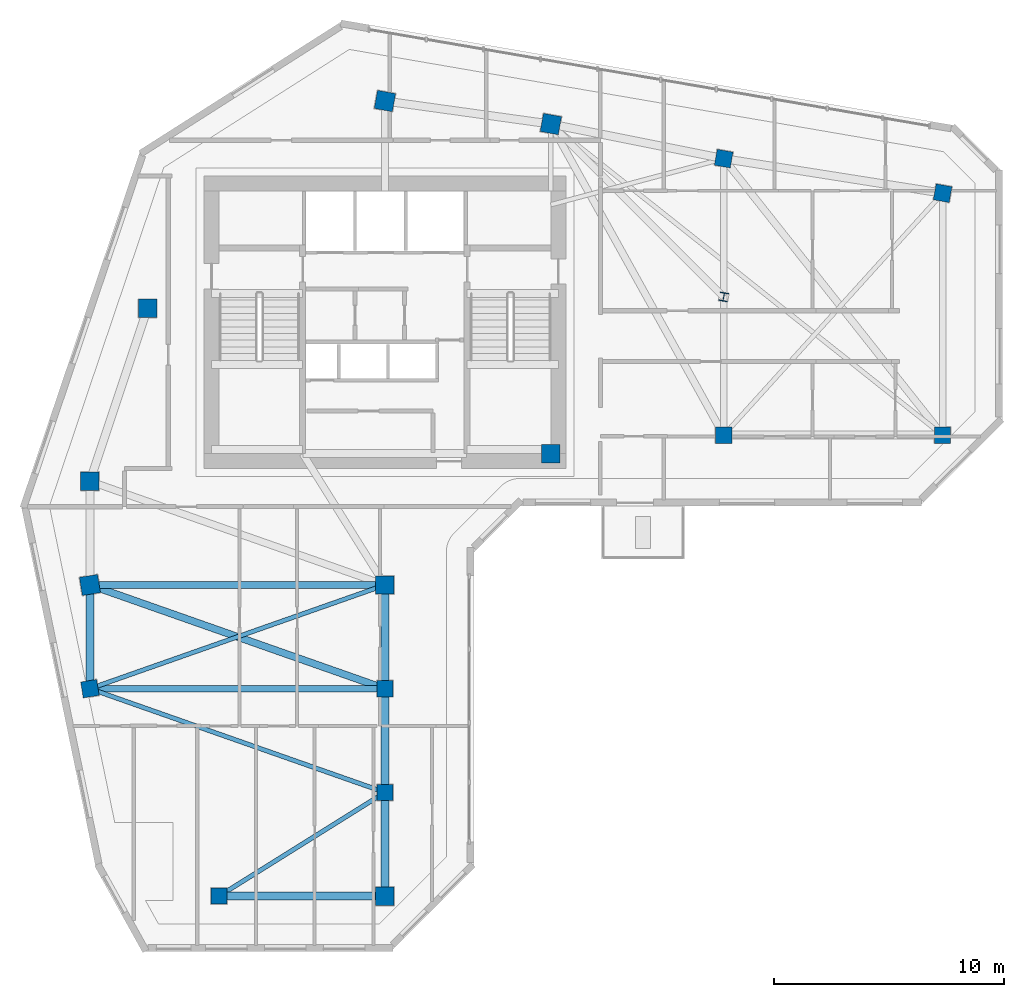
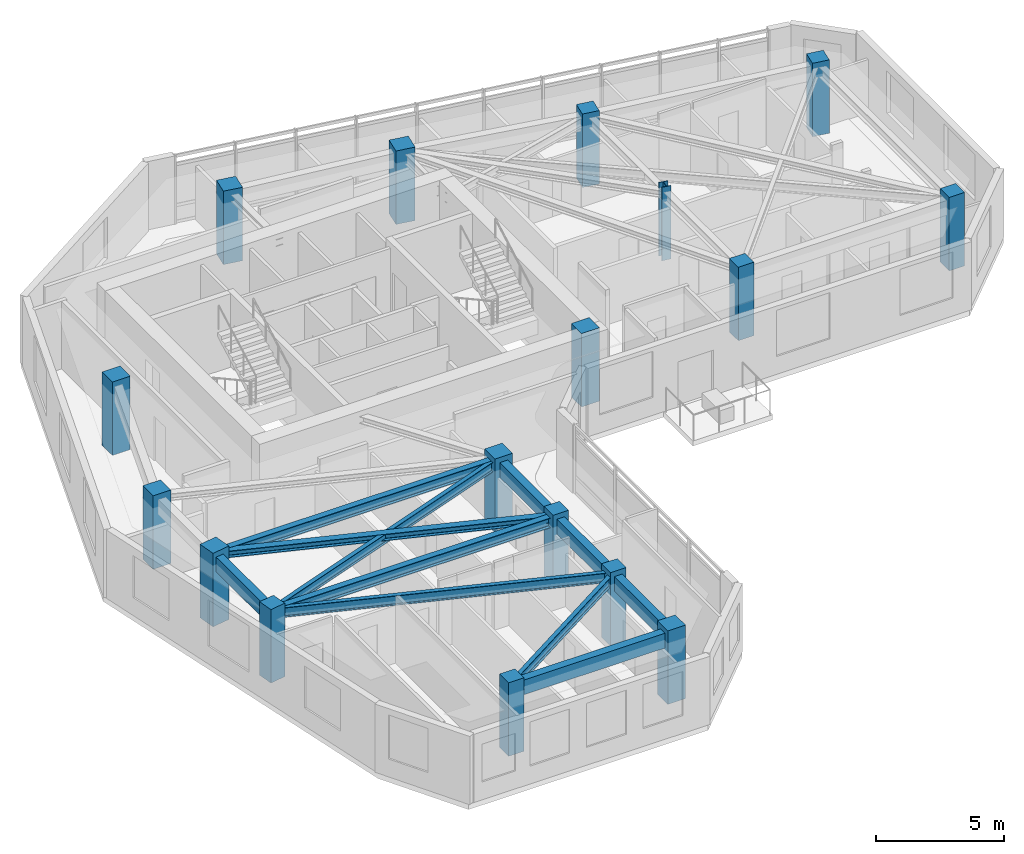
# One storey, part 1 of 11: 17 columns, 11 beams.
"""IFC4 building model written with IfcOpenShell, lengths in metres."""

from ifc_helpers import new_model, si_unit, direction, frame, origin, origin_2d, place, context, subcontext, project, spatial, rectangle, i_section, extrude, source, transform, mapped, material, material_profile, profile_set, type_object, element, save


model = new_model("IFC4")

# Units and contexts
model_context = context("Model", 3, precision=1e-05, world=origin(), true_north=direction((0.0, 1.0)))
body_context = subcontext(model_context, "Body", "Model", "MODEL_VIEW")
ifc_project = project(units=[si_unit("LENGTHUNIT", "METRE"), si_unit("AREAUNIT", "SQUARE_METRE"), si_unit("VOLUMEUNIT", "CUBIC_METRE"), si_unit("PLANEANGLEUNIT", "RADIAN"), si_unit("MASSUNIT", "GRAM", prefix="KILO")], contexts=[model_context])

# Site, building, storey
site_placement = place(None, origin())
site = spatial("IfcSite", under=ifc_project, at=site_placement, CompositionType="ELEMENT")
building_placement = place(site_placement, origin())
building = spatial("IfcBuilding", under=site, at=building_placement, Name="Calvemar Wedge Station Tower", CompositionType="ELEMENT")
storey_placement = place(building_placement, frame((0.0, 0.0, 186.89990234375)))
storey = spatial("IfcBuildingStorey", under=building, at=storey_placement, Name="L46", CompositionType="ELEMENT", Elevation=186.89990234375)

# Columns
ifc_material_1 = material(Name="Concrete C50", Category="concrete")
ifc_material_profile_1 = material_profile(ifc_material_1, rectangle(XDim=0.800048828125, YDim=0.800048828125, at=origin_2d()), Name="RC800x800")
ifc_profile_set_1 = profile_set([ifc_material_profile_1], Name="Concrete C50")
column_type_1 = type_object("IfcColumnType", Name="COL-C6-800", PredefinedType="COLUMN", material=ifc_profile_set_1)
shared_shape_1 = source(origin(), body_context, "Body", "SweptSolid", [
    extrude(rectangle(XDim=0.800048828125, YDim=0.800048828125, at=origin_2d()), origin(), (0.0, 0.0, 1.0), 3.5),
])
for number, where, z_axis, x_axis, name in (
    (1, (11.0, 33.0, 0.0), (0.0, 0.0, 1.0), (1.0, 0.0, 0.0), "Storey L46 Column T-NW1"),
    (2, (13.5, 40.5, 0.0), (0.0, 0.0, 1.0), (1.0, 0.0, 0.0), "Storey L46 Column T-NW2"),
    (3, (23.800048828125, 49.5, 0.0), (0.0, 0.0, 1.0), (0.984195607969, -0.17708474032, 0.0), "Storey L46 Column T-N1"),
    (4, (31.0, 48.5, 0.0), (0.0, 0.0, 1.0), (0.984195607969, -0.17708474032, 0.0), "Storey L46 Column T-N2"),
    (5, (31.0, 34.199951171875, 0.0), (0.0, 0.0, 1.0), (1.0, 0.0, 0.0), "Storey L46 Column T-NL1"),
    (6, (11.0, 28.5, 0.0), (0.0, 0.0, 1.0), (0.158158067254, -0.987413806751, 0.0), "Storey L46 Column T-SW1"),
    (7, (23.800048828125, 28.5, 0.0), (0.0, 0.0, 1.0), (1.0, 0.0, 0.0), "Storey L46 Column T-SE1"),
    (8, (23.800048828125, 15.0, 0.0), (0.0, 0.0, 1.0), (1.0, 0.0, 0.0), "Storey L46 Column T-SE4"),
):
    element("IfcColumn", number, at=place(storey_placement, frame(where, z_axis=z_axis, x_axis=x_axis)), inside=storey, type_object=column_type_1, Name=name, PredefinedType="COLUMN", context=body_context, shape_type="MappedRepresentation", body=[
        mapped(shared_shape_1, transform((0.0, 0.0, 0.0), scale=1.0)),
    ])
ifc_material_profile_2 = material_profile(ifc_material_1, rectangle(XDim=0.699951171875, YDim=0.699951171875, at=origin_2d()), Name="RC700x700")
ifc_profile_set_2 = profile_set([ifc_material_profile_2], Name="Concrete C50")
column_type_2 = type_object("IfcColumnType", Name="COL-C7-700", PredefinedType="COLUMN", material=ifc_profile_set_2)
shared_shape_2 = source(origin(), body_context, "Body", "SweptSolid", [
    extrude(rectangle(XDim=0.699951171875, YDim=0.699951171875, at=origin_2d()), origin(), (0.0, 0.0, 1.0), 3.5),
])
for number, where, z_axis, x_axis, name in (
    (9, (38.5, 47.0, 0.0), (0.0, 0.0, 1.0), (0.984195607969, -0.17708474032, 0.0), "Storey L46 Column T-NU3"),
    (10, (48.0, 45.5, 0.0), (0.0, 0.0, 1.0), (0.984195607969, -0.17708474032, 0.0), "Storey L46 Column T-NU4"),
    (11, (38.5, 35.0, 0.0), (0.0, 0.0, 1.0), (1.0, 0.0, 0.0), "Storey L46 Column T-NL2"),
    (12, (48.0, 35.0, 0.0), (0.0, 0.0, 1.0), (1.0, 0.0, 0.0), "Storey L46 Column T-NL3"),
    (13, (11.0, 24.0, 0.0), (0.0, 0.0, 1.0), (0.158158067254, -0.987413806751, 0.0), "Storey L46 Column T-SW2"),
    (14, (23.800048828125, 24.0, 0.0), (0.0, 0.0, 1.0), (1.0, 0.0, 0.0), "Storey L46 Column T-SE2"),
    (15, (23.800048828125, 19.5, 0.0), (0.0, 0.0, 1.0), (1.0, 0.0, 0.0), "Storey L46 Column T-SE3"),
    (16, (16.60009765625, 15.0, 0.0), (0.0, 0.0, 1.0), (1.0, 0.0, 0.0), "Storey L46 Column T-SM1"),
):
    element("IfcColumn", number, at=place(storey_placement, frame(where, z_axis=z_axis, x_axis=x_axis)), inside=storey, type_object=column_type_2, Name=name, PredefinedType="COLUMN", context=body_context, shape_type="MappedRepresentation", body=[
        mapped(shared_shape_2, transform((0.0, 0.0, 0.0), scale=1.0)),
    ])
ifc_material_2 = material(Name="Structural steel ASTM A572 Grade 50", Category="steel")
ifc_material_profile_3 = material_profile(ifc_material_2, i_section(OverallWidth=0.3740234375, OverallDepth=0.3720703125, WebThickness=0.016357421875, FlangeThickness=0.026123046875, FilletRadius=0.014892578125, at=origin_2d()), Name="W360x196")
ifc_profile_set_3 = profile_set([ifc_material_profile_3], Name="Structural steel ASTM A572 Grade 50")
column_type_3 = type_object("IfcColumnType", Name="COL-STL-W360", PredefinedType="COLUMN", material=ifc_profile_set_3)
shared_shape_3 = source(origin(), body_context, "Body", "SweptSolid", [
    extrude(i_section(OverallWidth=0.3740234375, OverallDepth=0.3720703125, WebThickness=0.016357421875, FlangeThickness=0.026123046875, FilletRadius=0.014892578125, at=origin_2d()), origin(), (0.0, 0.0, 1.0), 3.5),
])
column_placement = place(storey_placement, frame((38.5, 41.0, 0.0), z_axis=(0.0, 0.0, 1.0), x_axis=(0.984195607969, -0.17708474032, 0.0)))
element("IfcColumn", 17, at=column_placement, inside=storey, type_object=column_type_3, Name="Storey L46 Column T-NTIP-B", PredefinedType="COLUMN", context=body_context, shape_type="MappedRepresentation", body=[
    mapped(shared_shape_3, transform((0.0, 0.0, 0.0), scale=1.0)),
])

# Beams
ifc_material_profile_4 = material_profile(ifc_material_2, i_section(OverallWidth=0.30908203125, OverallDepth=0.322998046875, WebThickness=0.013916015625, FlangeThickness=0.02294921875, FilletRadius=0.014892578125, at=origin_2d()), Name="W310x143")
ifc_profile_set_4 = profile_set([ifc_material_profile_4], Name="Structural steel ASTM A572 Grade 50")
beam_type_1 = type_object("IfcBeamType", Name="BM-J5-W310H", PredefinedType="JOIST", material=ifc_profile_set_4)
shared_shape_4 = source(origin(), body_context, "Body", "SweptSolid", [
    extrude(i_section(OverallWidth=0.30908203125, OverallDepth=0.322998046875, WebThickness=0.013916015625, FlangeThickness=0.02294921875, FilletRadius=0.014892578125, at=origin_2d()), origin(), (0.0, 0.0, 1.0), 13.568115234375),
])
beam_1_placement = place(storey_placement, frame((11.0, 28.5, 3.088623046875), z_axis=(0.943398221169, -0.331662171939, 0.0), x_axis=(0.331662171939, 0.943398221169, 0.0)))
element("IfcBeam", 18, at=beam_1_placement, inside=storey, type_object=beam_type_1, Name="Storey L46 Floor Beam T-SW1-T-SE2", PredefinedType="JOIST", context=body_context, shape_type="MappedRepresentation", body=[
    mapped(shared_shape_4, transform((0.0, 0.0, 0.0), scale=1.0)),
])
ifc_material_profile_5 = material_profile(ifc_material_2, i_section(OverallWidth=0.19189453125, OverallDepth=0.462890625, WebThickness=0.010498046875, FlangeThickness=0.017578125, FilletRadius=0.012939453125, at=origin_2d()), Name="W460x89")
ifc_profile_set_5 = profile_set([ifc_material_profile_5], Name="Structural steel ASTM A572 Grade 50")
beam_type_2 = type_object("IfcBeamType", Name="BM-J1-W460", PredefinedType="JOIST", material=ifc_profile_set_5)
shared_shape_5 = source(origin(), body_context, "Body", "SweptSolid", [
    extrude(i_section(OverallWidth=0.19189453125, OverallDepth=0.462890625, WebThickness=0.010498046875, FlangeThickness=0.017578125, FilletRadius=0.012939453125, at=origin_2d()), origin(), (0.0, 0.0, 1.0), 13.568115234375),
])
for number, where, z_axis, x_axis, name in (
    (19, (23.800048828125, 28.5, 3.0185546875), (-0.943398221169, -0.331662171939, 0.0), (0.331662171939, -0.943398221169, 0.0), "Storey L46 Floor Beam T-SE1-T-SW2"),
    (20, (11.0, 24.0, 3.0185546875), (0.943398221169, -0.331662171939, 0.0), (0.331662171939, 0.943398221169, 0.0), "Storey L46 Floor Beam T-SW2-T-SE3"),
):
    element("IfcBeam", number, at=place(storey_placement, frame(where, z_axis=z_axis, x_axis=x_axis)), inside=storey, type_object=beam_type_2, Name=name, PredefinedType="JOIST", context=body_context, shape_type="MappedRepresentation", body=[
        mapped(shared_shape_5, transform((0.0, 0.0, 0.0), scale=1.0)),
    ])
shared_shape_6 = source(origin(), body_context, "Body", "SweptSolid", [
    extrude(i_section(OverallWidth=0.19189453125, OverallDepth=0.462890625, WebThickness=0.010498046875, FlangeThickness=0.017578125, FilletRadius=0.012939453125, at=origin_2d()), origin(), (0.0, 0.0, 1.0), 8.490478515625),
])
beam_2_placement = place(storey_placement, frame((23.800048828125, 19.5, 3.0185546875), z_axis=(-0.847996688584, -0.530001524668, 0.0), x_axis=(0.530001524668, -0.847996688584, 0.0)))
element("IfcBeam", 21, at=beam_2_placement, inside=storey, type_object=beam_type_2, Name="Storey L46 Floor Beam T-SE3-T-SM1", PredefinedType="JOIST", context=body_context, shape_type="MappedRepresentation", body=[
    mapped(shared_shape_6, transform((0.0, 0.0, 0.0), scale=1.0)),
])
ifc_material_profile_6 = material_profile(ifc_material_1, rectangle(XDim=0.35009765625, YDim=0.699951171875, at=origin_2d()), Name="RC350x700")
ifc_profile_set_6 = profile_set([ifc_material_profile_6], Name="Concrete C50")
beam_type_3 = type_object("IfcBeamType", Name="BM-SP2-700", PredefinedType="SPANDREL", material=ifc_profile_set_6)
shared_shape_7 = source(origin(), body_context, "Body", "SweptSolid", [
    extrude(rectangle(XDim=0.35009765625, YDim=0.699951171875, at=origin_2d()), origin(), (0.0, 0.0, 1.0), 4.5),
])
for number, where, z_axis, x_axis, name in (
    (22, (11.0, 28.5, 2.900146484375), (0.0, -1.0, 0.0), (1.0, 0.0, 0.0), "Storey L46 Spandrel T-SW1-T-SW2"),
    (23, (23.800048828125, 28.5, 2.900146484375), (0.0, -1.0, 0.0), (1.0, 0.0, 0.0), "Storey L46 Spandrel T-SE1-T-SE2"),
    (24, (23.800048828125, 24.0, 2.900146484375), (0.0, -1.0, 0.0), (1.0, 0.0, 0.0), "Storey L46 Spandrel T-SE2-T-SE3"),
    (25, (23.800048828125, 19.5, 2.900146484375), (0.0, -1.0, 0.0), (1.0, 0.0, 0.0), "Storey L46 Spandrel T-SE3-T-SE4"),
):
    element("IfcBeam", number, at=place(storey_placement, frame(where, z_axis=z_axis, x_axis=x_axis)), inside=storey, type_object=beam_type_3, Name=name, PredefinedType="SPANDREL", context=body_context, shape_type="MappedRepresentation", body=[
        mapped(shared_shape_7, transform((0.0, 0.0, 0.0), scale=1.0)),
    ])
shared_shape_8 = source(origin(), body_context, "Body", "SweptSolid", [
    extrude(rectangle(XDim=0.35009765625, YDim=0.699951171875, at=origin_2d()), origin(), (0.0, 0.0, 1.0), 7.199951171875),
])
beam_3_placement = place(storey_placement, frame((16.60009765625, 15.0, 2.900146484375), z_axis=(1.0, 0.0, 0.0), x_axis=(0.0, 1.0, 0.0)))
element("IfcBeam", 26, at=beam_3_placement, inside=storey, type_object=beam_type_3, Name="Storey L46 Spandrel T-SM1-T-SE4", PredefinedType="SPANDREL", context=body_context, shape_type="MappedRepresentation", body=[
    mapped(shared_shape_8, transform((0.0, 0.0, 0.0), scale=1.0)),
])
ifc_material_profile_7 = material_profile(ifc_material_2, i_section(OverallWidth=0.283935546875, OverallDepth=0.47607421875, WebThickness=0.014892578125, FlangeThickness=0.02392578125, FilletRadius=0.014892578125, at=origin_2d()), Name="W460x158")
ifc_profile_set_7 = profile_set([ifc_material_profile_7], Name="Structural steel ASTM A572 Grade 50")
beam_type_4 = type_object("IfcBeamType", Name="BM-SB5-W460H", PredefinedType="BEAM", material=ifc_profile_set_7)
shared_shape_9 = source(origin(), body_context, "Body", "SweptSolid", [
    extrude(i_section(OverallWidth=0.283935546875, OverallDepth=0.47607421875, WebThickness=0.014892578125, FlangeThickness=0.02392578125, FilletRadius=0.014892578125, at=origin_2d()), origin(), (0.0, 0.0, 1.0), 12.800048828125),
])
for number, where, z_axis, x_axis, name in (
    (27, (11.0, 28.5, 3.01220703125), (1.0, 0.0, 0.0), (0.0, 1.0, 0.0), "Storey L46 Floor Beam T-SW1-T-SE1"),
    (28, (11.0, 24.0, 3.01220703125), (1.0, 0.0, 0.0), (0.0, 1.0, 0.0), "Storey L46 Floor Beam T-SW2-T-SE2"),
):
    element("IfcBeam", number, at=place(storey_placement, frame(where, z_axis=z_axis, x_axis=x_axis)), inside=storey, type_object=beam_type_4, Name=name, PredefinedType="BEAM", context=body_context, shape_type="MappedRepresentation", body=[
        mapped(shared_shape_9, transform((0.0, 0.0, 0.0), scale=1.0)),
    ])

save(model, "model.ifc")
